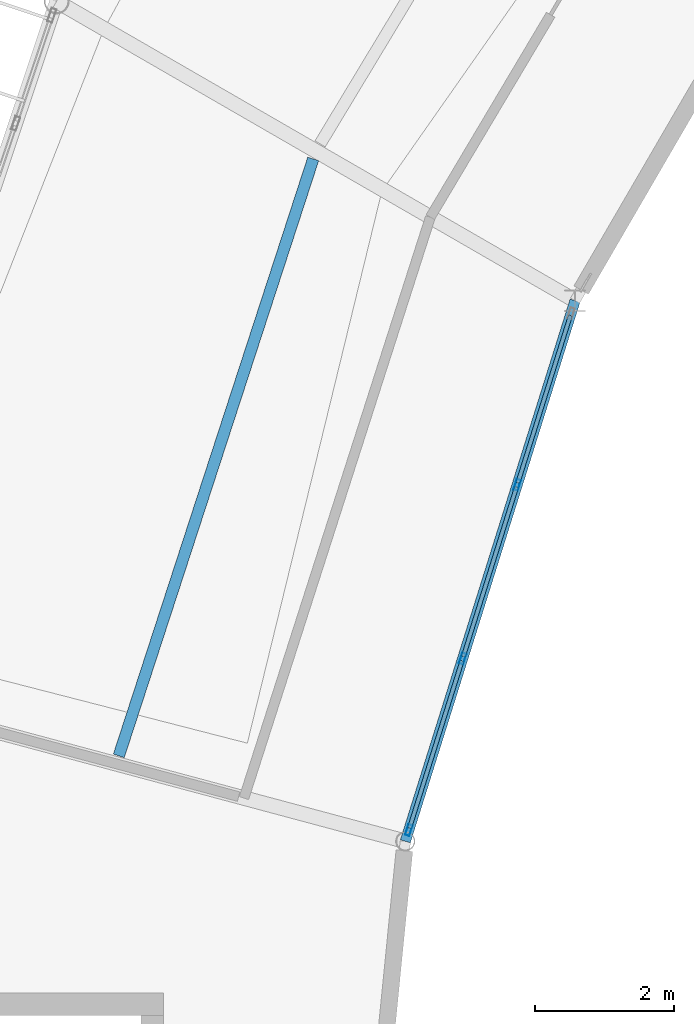
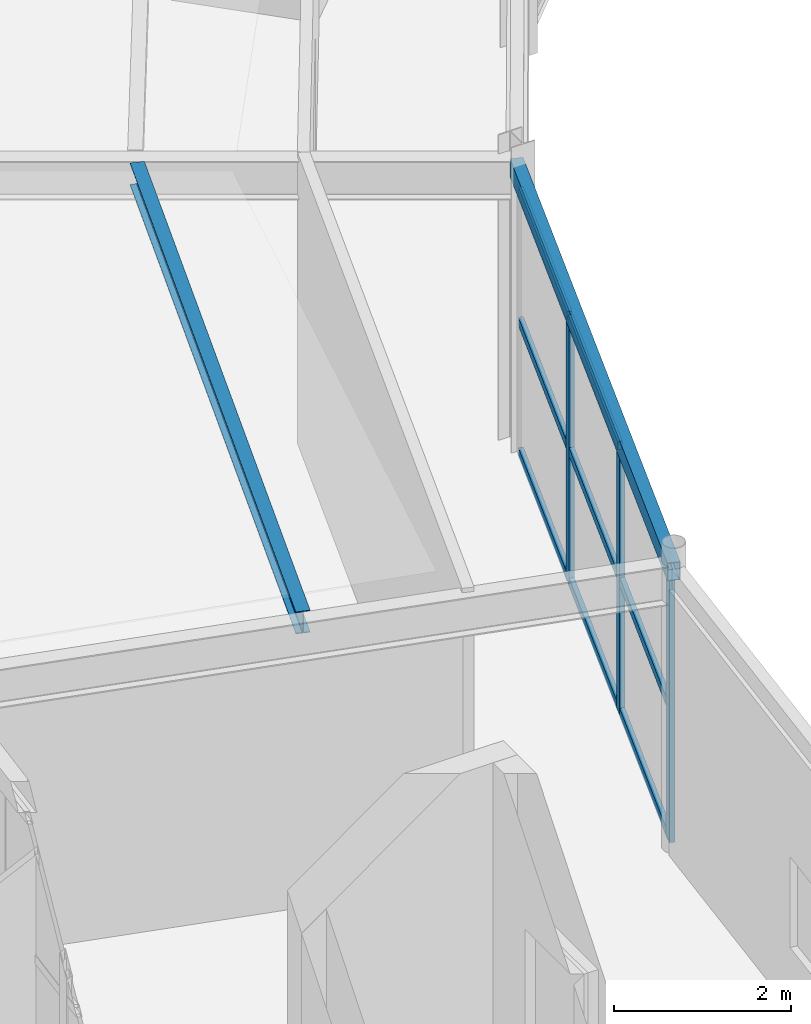
# One storey, part 46 of 147: 12 members, 2 beams, 1 element without a shape of its own.
"""IFC4 building model written with IfcOpenShell, lengths in metres."""

from ifc_helpers import new_model, si_unit, direction, frame, origin, origin_2d, place, context, subcontext, project, spatial, hollow_rectangle, i_section, extrude, material, material_profile, profile_set, type_object, element, aggregate, save


model = new_model("IFC4")

# Units and contexts
model_context = context("Model", 3, precision=1e-05, world=origin(), true_north=direction((0.0, 1.0)))
body_context = subcontext(model_context, "Body", "Model", "MODEL_VIEW")
ifc_project = project(units=[si_unit("LENGTHUNIT", "METRE"), si_unit("AREAUNIT", "SQUARE_METRE"), si_unit("VOLUMEUNIT", "CUBIC_METRE"), si_unit("PLANEANGLEUNIT", "RADIAN"), si_unit("MASSUNIT", "GRAM", prefix="KILO")], contexts=[model_context])

# Site, building, storey
site_placement = place(None, origin())
site = spatial("IfcSite", under=ifc_project, at=site_placement, CompositionType="ELEMENT")
building_placement = place(site_placement, origin())
building = spatial("IfcBuilding", under=site, at=building_placement, Name="Karori Crest Natural Sciences Institute", CompositionType="ELEMENT")
storey_placement = place(building_placement, frame((0.0, 0.0, 9.10009765625)))
storey = spatial("IfcBuildingStorey", under=building, at=storey_placement, Name="L02", CompositionType="ELEMENT", Elevation=9.10009765625)

# Beams
ifc_material_1 = material(Name="Structural steel AS/NZS 3679.1 Grade 350", Category="steel")
ifc_material_profile_1 = material_profile(ifc_material_1, i_section(OverallWidth=0.1650390625, OverallDepth=0.303955078125, WebThickness=0.006103515625, FlangeThickness=0.01025390625, FilletRadius=0.010986328125, at=origin_2d()), Name="310UB40.4")
ifc_profile_set_1 = profile_set([ifc_material_profile_1], Name="Structural steel AS/NZS 3679.1 Grade 350")
beam_type_1 = type_object("IfcBeamType", Name="BT-10", PredefinedType="BEAM", material=ifc_profile_set_1)
beam_1_placement = place(storey_placement, frame((41.5078125, 68.035888671875, 3.787841796875), z_axis=(-0.309674277679, -0.950842700842, 0.0), x_axis=(0.950842700842, -0.309674277679, 0.0)))
element("IfcBeam", 1, at=beam_1_placement, inside=storey, type_object=beam_type_1, Name="Beam B-0312", PredefinedType="BEAM", context=body_context, shape_type="SweptSolid", body=[
    extrude(i_section(OverallWidth=0.1650390625, OverallDepth=0.303955078125, WebThickness=0.006103515625, FlangeThickness=0.01025390625, FilletRadius=0.010986328125, at=origin_2d()), origin(), (0.0, 0.0, 1.0), 9.018310546875),
])
ifc_material_2 = material(Name="Hollow structural steel AS/NZS 1163 Grade C350", Category="steel")
ifc_material_profile_2 = material_profile(ifc_material_2, hollow_rectangle(XDim=0.14990234375, YDim=0.25, WallThickness=0.009033203125, at=origin_2d()), Name="RHS250x150x9")
ifc_profile_set_2 = profile_set([ifc_material_profile_2], Name="Hollow structural steel AS/NZS 1163 Grade C350")
beam_type_2 = type_object("IfcBeamType", Name="BT-16", PredefinedType="SPANDREL", material=ifc_profile_set_2)
beam_2_placement = place(storey_placement, frame((45.26904296875, 66.0, 3.789794921875), z_axis=(-0.299487310016, -0.954100283586, 0.0), x_axis=(0.954100283586, -0.299487310016, 0.0)))
element("IfcBeam", 2, at=beam_2_placement, inside=storey, type_object=beam_type_2, Name="Beam B-0310", PredefinedType="SPANDREL", context=body_context, shape_type="SweptSolid", body=[
    extrude(hollow_rectangle(XDim=0.14990234375, YDim=0.25, WallThickness=0.009033203125, at=origin_2d()), origin(), (0.0, 0.0, 1.0), 8.1396484375),
])

# Curtain wall, members
ifc_material_3 = material(Name="Anodised architectural aluminium 6063-T6", Category="aluminium")
curtain_wall_type = type_object("IfcCurtainWallType", Name="CWT-11", PredefinedType="NOTDEFINED", material=ifc_material_3)
curtain_wall_placement = place(storey_placement, origin())
curtain_wall = element("IfcCurtainWall", 3, at=curtain_wall_placement, inside=storey, type_object=curtain_wall_type, Name="Curtain wall CW-0081", PredefinedType="NOTDEFINED")
ifc_material_profile_3 = material_profile(ifc_material_3, hollow_rectangle(XDim=0.06494140625, YDim=0.159912109375, WallThickness=0.00390625, at=origin_2d()), Name="CWM160x65x4")
ifc_profile_set_3 = profile_set([ifc_material_profile_3], Name="Anodised architectural aluminium 6063-T6")
member_type_1 = type_object("IfcMemberType", Name="CWM-01", PredefinedType="MULLION", material=ifc_profile_set_3)
member_1_placement = place(storey_placement, frame((44.43798828125, 63.352783203125, 0.0), z_axis=(0.0, 0.0, 1.0), x_axis=(0.954103649609, -0.2994765864, 0.0)))
member_1 = element("IfcMember", 4, at=member_1_placement, type_object=member_type_1, Name="CW-0081 mullion 2", PredefinedType="MULLION", context=body_context, shape_type="SweptSolid", body=[
    extrude(hollow_rectangle(XDim=0.06494140625, YDim=0.159912109375, WallThickness=0.00390625, at=origin_2d()), origin(), (0.0, 0.0, 1.0), 3.64990234375),
])
member_2_placement = place(storey_placement, frame((43.65478515625, 60.857421875, 0.0), z_axis=(0.0, 0.0, 1.0), x_axis=(0.954103649609, -0.2994765864, 0.0)))
member_2 = element("IfcMember", 5, at=member_2_placement, type_object=member_type_1, Name="CW-0081 mullion 3", PredefinedType="MULLION", context=body_context, shape_type="SweptSolid", body=[
    extrude(hollow_rectangle(XDim=0.06494140625, YDim=0.159912109375, WallThickness=0.00390625, at=origin_2d()), origin(), (0.0, 0.0, 1.0), 3.64990234375),
])
member_3_placement = place(storey_placement, frame((42.88134765625, 58.393310546875, 0.0), z_axis=(0.0, 0.0, 1.0), x_axis=(0.954103649609, -0.2994765864, 0.0)))
member_3 = element("IfcMember", 6, at=member_3_placement, type_object=member_type_1, Name="CW-0081 mullion 4", PredefinedType="MULLION", context=body_context, shape_type="SweptSolid", body=[
    extrude(hollow_rectangle(XDim=0.06494140625, YDim=0.159912109375, WallThickness=0.00390625, at=origin_2d()), origin(), (0.0, 0.0, 1.0), 3.64990234375),
])
ifc_material_profile_4 = material_profile(ifc_material_3, hollow_rectangle(XDim=0.06005859375, YDim=0.1201171875, WallThickness=0.00390625, at=origin_2d()), Name="CWT120x60x4")
ifc_profile_set_4 = profile_set([ifc_material_profile_4], Name="Anodised architectural aluminium 6063-T6")
member_type_2 = type_object("IfcMemberType", Name="CWT-TR1", PredefinedType="USERDEFINED", material=ifc_profile_set_4)
member_4_placement = place(storey_placement, frame((45.201904296875, 65.785888671875, 0.02978515625), z_axis=(-0.299539132348, -0.954084015269, 0.0), x_axis=(0.954084015269, -0.299539132348, 0.0)))
member_4 = element("IfcMember", 7, at=member_4_placement, type_object=member_type_2, Name="CW-0081 transom 1.1", ObjectType="TRANSOM", PredefinedType="USERDEFINED", context=body_context, shape_type="SweptSolid", body=[
    extrude(hollow_rectangle(XDim=0.06005859375, YDim=0.1201171875, WallThickness=0.00390625, at=origin_2d()), origin(), (0.0, 0.0, 1.0), 2.517822265625),
])
member_5_placement = place(storey_placement, frame((45.201904296875, 65.785888671875, 1.824951171875), z_axis=(-0.299539132348, -0.954084015269, 0.0), x_axis=(0.954084015269, -0.299539132348, 0.0)))
member_5 = element("IfcMember", 8, at=member_5_placement, type_object=member_type_2, Name="CW-0081 transom 1.2", ObjectType="TRANSOM", PredefinedType="USERDEFINED", context=body_context, shape_type="SweptSolid", body=[
    extrude(hollow_rectangle(XDim=0.06005859375, YDim=0.1201171875, WallThickness=0.00390625, at=origin_2d()), origin(), (0.0, 0.0, 1.0), 2.517822265625),
])
member_6_placement = place(storey_placement, frame((45.201904296875, 65.785888671875, 3.619873046875), z_axis=(-0.299539132348, -0.954084015269, 0.0), x_axis=(0.954084015269, -0.299539132348, 0.0)))
member_6 = element("IfcMember", 9, at=member_6_placement, type_object=member_type_2, Name="CW-0081 transom 1.3", ObjectType="TRANSOM", PredefinedType="USERDEFINED", context=body_context, shape_type="SweptSolid", body=[
    extrude(hollow_rectangle(XDim=0.06005859375, YDim=0.1201171875, WallThickness=0.00390625, at=origin_2d()), origin(), (0.0, 0.0, 1.0), 2.517822265625),
])
member_7_placement = place(storey_placement, frame((44.428466796875, 63.32177734375, 0.02978515625), z_axis=(-0.29952290777, -0.9540891089, 0.0), x_axis=(0.9540891089, -0.29952290777, 0.0)))
member_7 = element("IfcMember", 10, at=member_7_placement, type_object=member_type_2, Name="CW-0081 transom 2.1", ObjectType="TRANSOM", PredefinedType="USERDEFINED", context=body_context, shape_type="SweptSolid", body=[
    extrude(hollow_rectangle(XDim=0.06005859375, YDim=0.1201171875, WallThickness=0.00390625, at=origin_2d()), origin(), (0.0, 0.0, 1.0), 2.550537109375),
])
member_8_placement = place(storey_placement, frame((44.428466796875, 63.32177734375, 1.824951171875), z_axis=(-0.29952290777, -0.9540891089, 0.0), x_axis=(0.9540891089, -0.29952290777, 0.0)))
member_8 = element("IfcMember", 11, at=member_8_placement, type_object=member_type_2, Name="CW-0081 transom 2.2", ObjectType="TRANSOM", PredefinedType="USERDEFINED", context=body_context, shape_type="SweptSolid", body=[
    extrude(hollow_rectangle(XDim=0.06005859375, YDim=0.1201171875, WallThickness=0.00390625, at=origin_2d()), origin(), (0.0, 0.0, 1.0), 2.550537109375),
])
member_9_placement = place(storey_placement, frame((44.428466796875, 63.32177734375, 3.619873046875), z_axis=(-0.29952290777, -0.9540891089, 0.0), x_axis=(0.9540891089, -0.29952290777, 0.0)))
member_9 = element("IfcMember", 12, at=member_9_placement, type_object=member_type_2, Name="CW-0081 transom 2.3", ObjectType="TRANSOM", PredefinedType="USERDEFINED", context=body_context, shape_type="SweptSolid", body=[
    extrude(hollow_rectangle(XDim=0.06005859375, YDim=0.1201171875, WallThickness=0.00390625, at=origin_2d()), origin(), (0.0, 0.0, 1.0), 2.550537109375),
])
member_10_placement = place(storey_placement, frame((43.645263671875, 60.826416015625, 0.02978515625), z_axis=(-0.299539132348, -0.954084015269, 0.0), x_axis=(0.954084015269, -0.299539132348, 0.0)))
member_10 = element("IfcMember", 13, at=member_10_placement, type_object=member_type_2, Name="CW-0081 transom 3.1", ObjectType="TRANSOM", PredefinedType="USERDEFINED", context=body_context, shape_type="SweptSolid", body=[
    extrude(hollow_rectangle(XDim=0.06005859375, YDim=0.1201171875, WallThickness=0.00390625, at=origin_2d()), origin(), (0.0, 0.0, 1.0), 2.517822265625),
])
member_11_placement = place(storey_placement, frame((43.645263671875, 60.826416015625, 1.824951171875), z_axis=(-0.299539132348, -0.954084015269, 0.0), x_axis=(0.954084015269, -0.299539132348, 0.0)))
member_11 = element("IfcMember", 14, at=member_11_placement, type_object=member_type_2, Name="CW-0081 transom 3.2", ObjectType="TRANSOM", PredefinedType="USERDEFINED", context=body_context, shape_type="SweptSolid", body=[
    extrude(hollow_rectangle(XDim=0.06005859375, YDim=0.1201171875, WallThickness=0.00390625, at=origin_2d()), origin(), (0.0, 0.0, 1.0), 2.517822265625),
])
member_12_placement = place(storey_placement, frame((43.645263671875, 60.826416015625, 3.619873046875), z_axis=(-0.299539132348, -0.954084015269, 0.0), x_axis=(0.954084015269, -0.299539132348, 0.0)))
member_12 = element("IfcMember", 15, at=member_12_placement, type_object=member_type_2, Name="CW-0081 transom 3.3", ObjectType="TRANSOM", PredefinedType="USERDEFINED", context=body_context, shape_type="SweptSolid", body=[
    extrude(hollow_rectangle(XDim=0.06005859375, YDim=0.1201171875, WallThickness=0.00390625, at=origin_2d()), origin(), (0.0, 0.0, 1.0), 2.517822265625),
])
aggregate(curtain_wall, [member_1, member_2, member_3, member_4, member_5, member_6, member_7, member_8, member_9, member_10, member_11, member_12])

save(model, "model.ifc")
